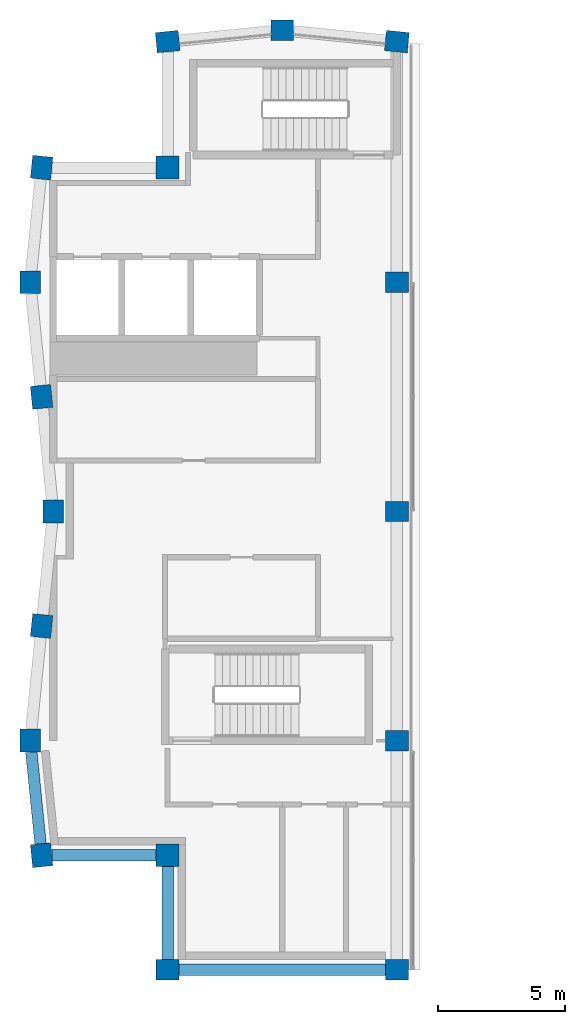
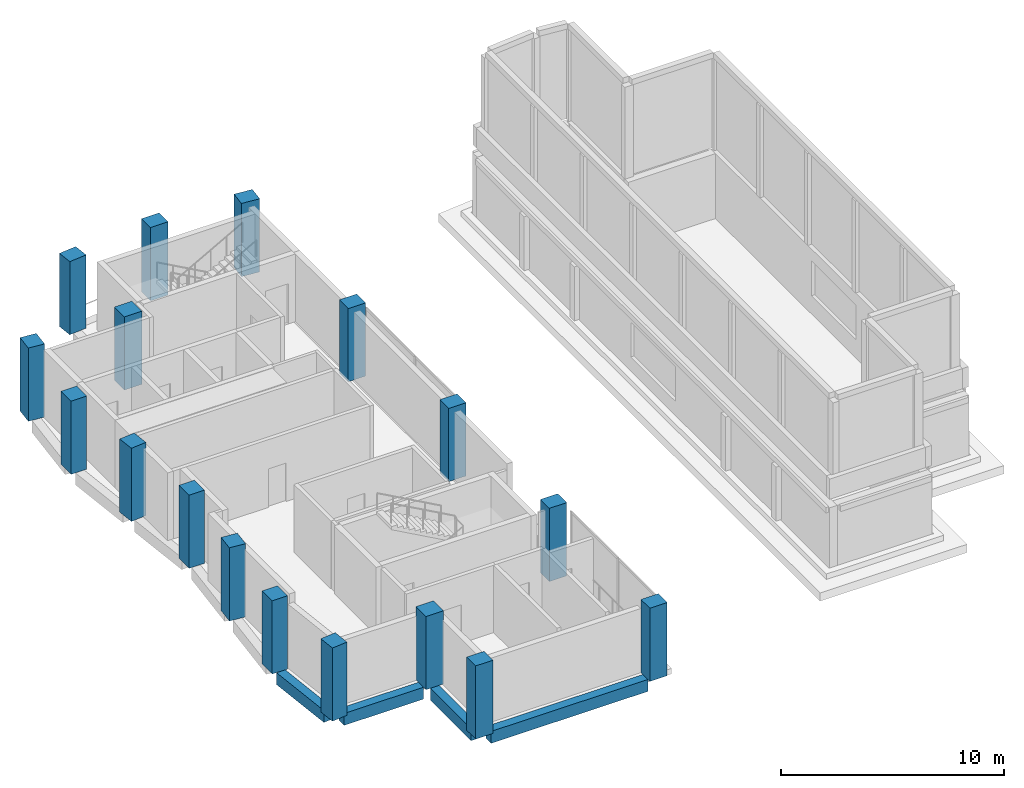
# One storey, part 1 of 8: 17 columns, 4 beams.
"""IFC4 building model written with IfcOpenShell, lengths in metres."""

from ifc_helpers import new_model, si_unit, direction, frame, origin, origin_2d, place, context, subcontext, project, spatial, rectangle, extrude, material, material_profile, profile_set, type_object, element, save


model = new_model("IFC4")

# Units and contexts
model_context = context("Model", 3, precision=1e-05, world=origin(), true_north=direction((0.0, 1.0)))
body_context = subcontext(model_context, "Body", "Model", "MODEL_VIEW")
ifc_project = project(units=[si_unit("LENGTHUNIT", "METRE"), si_unit("AREAUNIT", "SQUARE_METRE"), si_unit("VOLUMEUNIT", "CUBIC_METRE"), si_unit("PLANEANGLEUNIT", "RADIAN"), si_unit("MASSUNIT", "GRAM", prefix="KILO")], contexts=[model_context])

# Site, building, storey
site_placement = place(None, origin())
site = spatial("IfcSite", under=ifc_project, at=site_placement, CompositionType="ELEMENT")
building_placement = place(site_placement, origin())
building = spatial("IfcBuilding", under=site, at=building_placement, Name="Brondeck Convention Tower", CompositionType="ELEMENT")
storey_placement = place(building_placement, frame((0.0, 0.0, 302.800048828125)))
storey = spatial("IfcBuildingStorey", under=building, at=storey_placement, Name="L75", CompositionType="ELEMENT", Elevation=302.800048828125)

# Columns
ifc_material = material(Name="Concrete C50/60", Category="concrete")
ifc_material_profile_1 = material_profile(ifc_material, rectangle(XDim=0.89990234375, YDim=0.89990234375, at=origin_2d()), Name="Corner column 900x900 Concrete C50/60")
ifc_profile_set_1 = profile_set([ifc_material_profile_1], Name="Concrete C50/60")
column_type_1 = type_object("IfcColumnType", Name="Corner column 900x900 Concrete C50/60", PredefinedType="COLUMN", material=ifc_profile_set_1)
for number, where, z_axis, x_axis, name in (
    (1, (4.5, 31.5, 0.0), (0.0, 0.0, 1.0), (1.0, 0.0, 0.0), "STR-COL-L75-NC-KSW"),
    (2, (4.5, 58.5, 0.0), (0.0, 0.0, 1.0), (1.0, 0.0, 0.0), "STR-COL-L75-NC-NW"),
):
    element("IfcColumn", number, at=place(storey_placement, frame(where, z_axis=z_axis, x_axis=x_axis)), inside=storey, type_object=column_type_1, Name=name, PredefinedType="COLUMN", context=body_context, shape_type="SweptSolid", body=[
        extrude(rectangle(XDim=0.89990234375, YDim=0.89990234375, at=origin_2d()), origin(), (0.0, 0.0, 1.0), 4.0),
    ])
ifc_material_profile_2 = material_profile(ifc_material, rectangle(XDim=0.89990234375, YDim=0.800048828125, at=origin_2d()), Name="Crown pier 900x800 Concrete C50/60")
ifc_profile_set_2 = profile_set([ifc_material_profile_2], Name="Concrete C50/60")
column_type_2 = type_object("IfcColumnType", Name="Crown pier 900x800 Concrete C50/60", PredefinedType="COLUMN", material=ifc_profile_set_2)
for number, where, z_axis, x_axis, name in (
    (3, (4.5, 27.0, 0.0), (0.0, 0.0, 1.0), (1.0, 0.0, 0.0), "STR-COL-L75-PC-K-S-01"),
    (4, (13.5, 27.0, 0.0), (0.0, 0.0, 1.0), (1.0, 0.0, 0.0), "STR-COL-L75-PC-K-S-03"),
    (5, (13.5, 36.0, 0.0), (0.0, 0.0, 1.0), (1.0, 0.0, 0.0), "STR-COL-L75-PC-SLOT-W-01"),
    (6, (13.5, 45.0, 0.0), (0.0, 0.0, 1.0), (1.0, 0.0, 0.0), "STR-COL-L75-PC-SLOT-W-02"),
    (7, (13.5, 54.0, 0.0), (0.0, 0.0, 1.0), (1.0, 0.0, 0.0), "STR-COL-L75-PC-SLOT-W-03"),
    (8, (13.5, 63.449951171875, 0.0), (0.0, 0.0, 1.0), (-0.995037178292, 0.0995038382, 0.0), "STR-COL-L75-PC-A-N-03"),
    (9, (9.0, 63.89990234375, 0.0), (0.0, 0.0, 1.0), (-1.0, 0.0, 0.0), "STR-COL-L75-PC-A-N-02"),
    (10, (4.5, 63.449951171875, 0.0), (0.0, 0.0, 1.0), (-0.995037178292, -0.0995038382, 0.0), "STR-COL-L75-PC-A-N-01"),
    (11, (-0.449951171875, 58.5, 0.0), (0.0, 0.0, 1.0), (-0.0995038382, -0.995037178292, 0.0), "STR-COL-L75-PC-B-W-01"),
    (12, (-0.89990234375, 54.0, 0.0), (0.0, 0.0, 1.0), (0.0, -1.0, 0.0), "STR-COL-L75-PC-B-W-02"),
    (13, (-0.449951171875, 49.5, 0.0), (0.0, 0.0, 1.0), (0.0995038382, -0.995037178292, 0.0), "STR-COL-L75-PC-B-W-03"),
    (14, (0.0, 45.0, 0.0), (0.0, 0.0, 1.0), (0.0, -1.0, 0.0), "STR-COL-L75-PC-B-W-04"),
    (15, (-0.449951171875, 40.5, 0.0), (0.0, 0.0, 1.0), (-0.0995038382, -0.995037178292, 0.0), "STR-COL-L75-PC-B-W-05"),
    (16, (-0.89990234375, 36.0, 0.0), (0.0, 0.0, 1.0), (0.0, -1.0, 0.0), "STR-COL-L75-PC-B-W-06"),
    (17, (-0.449951171875, 31.5, 0.0), (0.0, 0.0, 1.0), (0.0995038382, -0.995037178292, 0.0), "STR-COL-L75-PC-B-W-07"),
):
    element("IfcColumn", number, at=place(storey_placement, frame(where, z_axis=z_axis, x_axis=x_axis)), inside=storey, type_object=column_type_2, Name=name, PredefinedType="COLUMN", context=body_context, shape_type="SweptSolid", body=[
        extrude(rectangle(XDim=0.89990234375, YDim=0.800048828125, at=origin_2d()), origin(), (0.0, 0.0, 1.0), 4.0),
    ])

# Beams
ifc_material_profile_3 = material_profile(ifc_material, rectangle(XDim=0.449951171875, YDim=0.64990234375, at=origin_2d()), Name="Precast spandrel 450x650 Concrete C50/60")
ifc_profile_set_3 = profile_set([ifc_material_profile_3], Name="Concrete C50/60")
beam_type = type_object("IfcBeamType", Name="Precast spandrel 450x650 Concrete C50/60", PredefinedType="SPANDREL", material=ifc_profile_set_3)
beam_1_placement = place(storey_placement, frame((4.949951171875, 27.0, -0.324951171875), z_axis=(1.0, 0.0, 0.0), x_axis=(0.0, 1.0, 0.0)))
element("IfcBeam", 18, at=beam_1_placement, inside=storey, type_object=beam_type, Name="STR-SP-L75K1-001", PredefinedType="SPANDREL", context=body_context, shape_type="SweptSolid", body=[
    extrude(rectangle(XDim=0.449951171875, YDim=0.64990234375, at=origin_2d()), origin(), (0.0, 0.0, 1.0), 8.10009765625),
])
beam_2_placement = place(storey_placement, frame((-0.85498046875, 35.550048828125, -0.324951171875), z_axis=(0.099470334057, -0.995040528141, 0.0), x_axis=(0.995040528141, 0.099470334057, 0.0)))
element("IfcBeam", 19, at=beam_2_placement, inside=storey, type_object=beam_type, Name="STR-SP-L75K1-015", PredefinedType="SPANDREL", context=body_context, shape_type="SweptSolid", body=[
    extrude(rectangle(XDim=0.449951171875, YDim=0.64990234375, at=origin_2d()), origin(), (0.0, 0.0, 1.0), 3.620361328125),
])
beam_3_placement = place(storey_placement, frame((-0.048095703125, 31.5, -0.324951171875), z_axis=(1.0, 0.0, 0.0), x_axis=(0.0, 1.0, 0.0)))
element("IfcBeam", 20, at=beam_3_placement, inside=storey, type_object=beam_type, Name="STR-SP-L75K1-016", PredefinedType="SPANDREL", context=body_context, shape_type="SweptSolid", body=[
    extrude(rectangle(XDim=0.449951171875, YDim=0.64990234375, at=origin_2d()), origin(), (0.0, 0.0, 1.0), 4.09814453125),
])
beam_4_placement = place(storey_placement, frame((4.5, 31.050048828125, -0.324951171875), z_axis=(0.0, -1.0, 0.0), x_axis=(1.0, 0.0, 0.0)))
element("IfcBeam", 21, at=beam_4_placement, inside=storey, type_object=beam_type, Name="STR-SP-L75K1-017", PredefinedType="SPANDREL", context=body_context, shape_type="SweptSolid", body=[
    extrude(rectangle(XDim=0.449951171875, YDim=0.64990234375, at=origin_2d()), origin(), (0.0, 0.0, 1.0), 3.650146484375),
])

save(model, "model.ifc")
